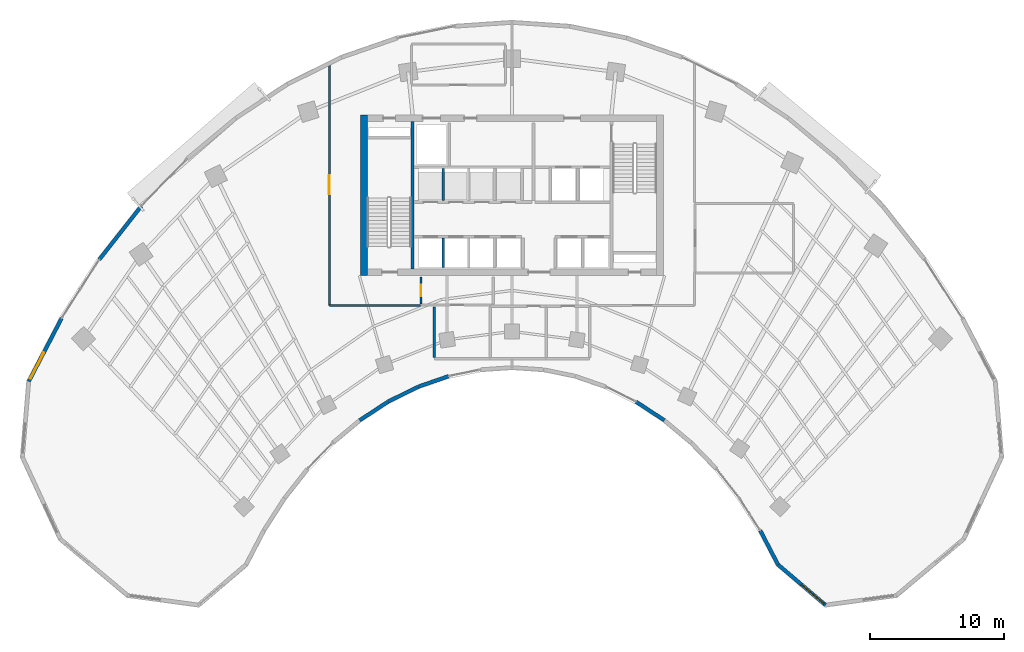
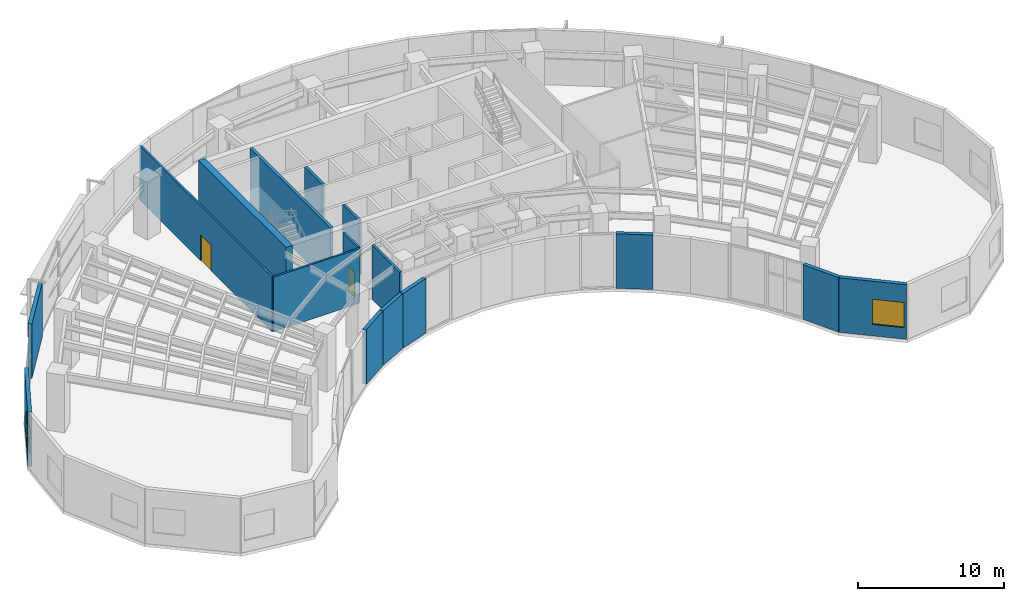
# One storey, part 8 of 15: 16 walls, 2 doors, 2 windows, 4 openings.
"""IFC4 building model written with IfcOpenShell, lengths in metres."""

from ifc_helpers import new_model, si_unit, direction, frame, frame_2d, origin, place, context, subcontext, project, spatial, rectangle, extrude, source, transform, mapped, material, layer, layer_set, type_object, type_shapes, element, fill, save


model = new_model("IFC4")

# Units and contexts
model_context = context("Model", 3, precision=1e-05, world=origin(), true_north=direction((0.0, 1.0)))
body_context = subcontext(model_context, "Body", "Model", "MODEL_VIEW")
ifc_project = project(units=[si_unit("LENGTHUNIT", "METRE"), si_unit("AREAUNIT", "SQUARE_METRE"), si_unit("VOLUMEUNIT", "CUBIC_METRE"), si_unit("PLANEANGLEUNIT", "RADIAN"), si_unit("MASSUNIT", "GRAM", prefix="KILO")], contexts=[model_context])

# Site, building, storey
site_placement = place(None, origin())
site = spatial("IfcSite", under=ifc_project, at=site_placement, CompositionType="ELEMENT")
building_placement = place(site_placement, origin())
building = spatial("IfcBuilding", under=site, at=building_placement, Name="Breltana Convention Tower", CompositionType="ELEMENT")
storey_placement = place(building_placement, frame((0.0, 0.0, 91.199951171875)))
storey = spatial("IfcBuildingStorey", under=building, at=storey_placement, Name="L21", CompositionType="ELEMENT", Elevation=91.199951171875)

# Walls
ifc_material_1 = material(Name="Concrete C60/75", Category="concrete")
ifc_layer_1 = layer(ifc_material_1, 0.5, Name="Concrete C60/75")
ifc_layer_set_1 = layer_set([ifc_layer_1], Name="Concrete C60/75")
wall_type_1 = type_object("IfcWallType", Name="SW-CORE-500", PredefinedType="SHEAR", material=ifc_layer_set_1)
shared_shape_1 = source(origin(), body_context, "Body", "SweptSolid", [
    extrude(rectangle(XDim=12.0, YDim=0.5, at=frame_2d((6.0, 0.0))), origin(), (0.0, 0.0, 1.0), 4.800048828125),
])
wall_1_placement = place(storey_placement, frame((36.949951171875, 60.199951171875, 0.0), z_axis=(0.0, 0.0, 1.0), x_axis=(0.0, 1.0, 0.0)))
element("IfcWall", 1, at=wall_1_placement, inside=storey, type_object=wall_type_1, Name="L21 West Core Shear Wall", PredefinedType="SHEAR", context=body_context, shape_type="MappedRepresentation", body=[
    mapped(shared_shape_1, transform((0.0, 0.0, 0.0), scale=1.0)),
])
ifc_material_2 = material(Name="Concrete C50/60", Category="concrete")
ifc_layer_2 = layer(ifc_material_2, 0.39990234375, Name="Concrete C50/60")
ifc_layer_set_2 = layer_set([ifc_layer_2], Name="Concrete C50/60")
wall_type_2 = type_object("IfcWallType", Name="SW-CORE-400", PredefinedType="SHEAR", material=ifc_layer_set_2)
shared_shape_2 = source(origin(), body_context, "Body", "SweptSolid", [
    extrude(rectangle(XDim=11.0, YDim=0.219970703125, at=frame_2d((5.5, 0.0))), origin(), (0.0, 0.0, 1.0), 4.800048828125),
])
wall_2_placement = place(storey_placement, frame((40.580078125, 60.699951171875, 0.0), z_axis=(0.0, 0.0, 1.0), x_axis=(0.0, 1.0, 0.0)))
element("IfcWall", 2, at=wall_2_placement, inside=storey, type_object=wall_type_2, Name="L21 Core West Stair Spine Wall", PredefinedType="SHEAR", context=body_context, shape_type="MappedRepresentation", body=[
    mapped(shared_shape_2, transform((0.0, 0.0, 0.0), scale=1.0)),
])

# Wall, opening, window
ifc_material_3 = material(Name="Limestone Buff Insulated Wall", Category="masonry")
ifc_layer_3 = layer(ifc_material_3, 0.280029296875, Name="Limestone Buff Insulated Wall")
ifc_layer_set_3 = layer_set([ifc_layer_3], Name="Limestone Buff Insulated Wall")
wall_type_3 = type_object("IfcWallType", Name="WL-EXT-NOSE-280", PredefinedType="SOLIDWALL", material=ifc_layer_set_3)
shared_shape_3 = source(origin(), body_context, "Body", "SweptSolid", [
    extrude(rectangle(XDim=4.6591796875, YDim=0.280029296875, at=frame_2d((2.32958984375, 0.0))), origin(), (0.0, 0.0, 1.0), 4.550048828125),
])
wall_3_placement = place(storey_placement, frame((71.410400390625, 35.606201171875, 0.0), z_axis=(0.0, 0.0, 1.0), x_axis=(-0.761913458795, 0.647678841176, 0.0)))
wall_3 = element("IfcWall", 3, at=wall_3_placement, inside=storey, type_object=wall_type_3, Name="L21 curved limestone nose wall E5", PredefinedType="SOLIDWALL", context=body_context, shape_type="MappedRepresentation", body=[
    mapped(shared_shape_3, transform((0.0, 0.0, 0.0), scale=1.0)),
])
opening_1_placement = place(wall_3_placement, frame((0.159912109375, 0.0, 0.949951171875)))
opening_1 = element("IfcOpeningElement", 4, at=opening_1_placement, cuts=wall_3, Name="Opening W-03", PredefinedType="OPENING", context=body_context, shape_type="SweptSolid", body=[
    extrude(rectangle(XDim=2.199951171875, YDim=2.10009765625, at=frame_2d((1.10009765625, 1.050048828125))), frame((0.0, 0.14990234375, 0.0), z_axis=(0.0, -1.0, 0.0), x_axis=(1.0, 0.0, 0.0)), (0.0, 0.0, 1.0), 0.300048828125),
])
ifc_material_4 = material(Name="Glass Low-E Insulated Window", Category="glass")
window_type = type_object("IfcWindowType", Name="WN-NOSE-2200X2100", PartitioningType="TRIPLE_PANEL_VERTICAL", PredefinedType="WINDOW", material=ifc_material_4)
shared_shape_4 = source(origin(), body_context, "Body", "SweptSolid", [
    extrude(rectangle(XDim=2.199951171875, YDim=2.10009765625, at=frame_2d((1.10009765625, 1.050048828125))), frame((0.0, 0.030029296875, 0.0), z_axis=(0.0, -1.0, 0.0), x_axis=(1.0, 0.0, 0.0)), (0.0, 0.0, 1.0), 0.06005859375),
])
type_shapes(window_type, [shared_shape_4])
window_1_placement = place(opening_1_placement, origin())
window_1 = element("IfcWindow", 5, at=window_1_placement, inside=storey, type_object=window_type, Name="L21 nose window E5", OverallHeight=2.10009765625, OverallWidth=2.199951171875, PartitioningType="TRIPLE_PANEL_VERTICAL", PredefinedType="WINDOW", context=body_context, shape_type="MappedRepresentation", body=[
    mapped(shared_shape_4, transform((0.0, 0.0, 0.0), scale=1.0)),
])
fill(opening_1, window_1)

# Walls
shared_shape_5 = source(origin(), body_context, "Body", "SweptSolid", [
    extrude(rectangle(XDim=2.8798828125, YDim=0.280029296875, at=frame_2d((1.43994140625, 0.0))), origin(), (0.0, 0.0, 1.0), 4.550048828125),
])
wall_4_placement = place(storey_placement, frame((67.860595703125, 38.623779296875, 0.0), z_axis=(0.0, 0.0, 1.0), x_axis=(-0.461769086658, 0.887000175088, 0.0)))
element("IfcWall", 6, at=wall_4_placement, inside=storey, type_object=wall_type_3, Name="L21 curved limestone nose wall E6", PredefinedType="SOLIDWALL", context=body_context, shape_type="MappedRepresentation", body=[
    mapped(shared_shape_5, transform((0.0, 0.0, 0.0), scale=1.0)),
])
shared_shape_6 = source(origin(), body_context, "Body", "SweptSolid", [
    extrude(rectangle(XDim=2.52734375, YDim=0.280029296875, at=frame_2d((1.263671875, 0.0))), origin(), (0.0, 0.0, 1.0), 4.550048828125),
])
for number, where, z_axis, x_axis, name in (
    (7, (59.37060546875, 49.3994140625, 0.0), (0.0, 0.0, 1.0), (-0.836011905051, 0.548711303523, 0.0), "L21 curved limestone nose wall E9"),
    (8, (38.7421875, 50.7861328125, 0.0), (0.0, 0.0, 1.0), (-0.836011905051, -0.548711303523, 0.0), "L21 curved limestone nose wall E16"),
):
    element("IfcWall", number, at=place(storey_placement, frame(where, z_axis=z_axis, x_axis=x_axis)), inside=storey, type_object=wall_type_3, Name=name, PredefinedType="SOLIDWALL", context=body_context, shape_type="MappedRepresentation", body=[
        mapped(shared_shape_6, transform((0.0, 0.0, 0.0), scale=1.0)),
    ])
shared_shape_7 = source(origin(), body_context, "Body", "SweptSolid", [
    extrude(rectangle(XDim=2.41064453125, YDim=0.280029296875, at=frame_2d((1.205322265625, 0.0))), origin(), (0.0, 0.0, 1.0), 4.550048828125),
])
wall_5_placement = place(storey_placement, frame((43.26611328125, 52.688720703125, 0.0), z_axis=(0.0, 0.0, 1.0), x_axis=(-0.944880068161, -0.327416640982, 0.0)))
element("IfcWall", 9, at=wall_5_placement, inside=storey, type_object=wall_type_3, Name="L21 curved limestone nose wall E14", PredefinedType="SOLIDWALL", context=body_context, shape_type="MappedRepresentation", body=[
    mapped(shared_shape_7, transform((0.0, 0.0, 0.0), scale=1.0)),
])
shared_shape_8 = source(origin(), body_context, "Body", "SweptSolid", [
    extrude(rectangle(XDim=2.46240234375, YDim=0.280029296875, at=frame_2d((1.231201171875, 0.0))), origin(), (0.0, 0.0, 1.0), 4.550048828125),
])
wall_6_placement = place(storey_placement, frame((40.96728515625, 51.890625, 0.0), z_axis=(0.0, 0.0, 1.0), x_axis=(-0.8959882207, -0.444077817917, 0.0)))
element("IfcWall", 10, at=wall_6_placement, inside=storey, type_object=wall_type_3, Name="L21 curved limestone nose wall E15", PredefinedType="SOLIDWALL", context=body_context, shape_type="MappedRepresentation", body=[
    mapped(shared_shape_8, transform((0.0, 0.0, 0.0), scale=1.0)),
])

# Wall, opening, window
shared_shape_9 = source(origin(), body_context, "Body", "SweptSolid", [
    extrude(rectangle(XDim=5.315185546875, YDim=0.280029296875, at=frame_2d((2.65771484375, 0.0))), origin(), (0.0, 0.0, 1.0), 4.550048828125),
])
wall_7_placement = place(storey_placement, frame((11.92236328125, 52.305419921875, 0.0), z_axis=(0.0, 0.0, 1.0), x_axis=(0.461760527822, 0.887004630735, 0.0)))
wall_7 = element("IfcWall", 11, at=wall_7_placement, inside=storey, type_object=wall_type_3, Name="L21 curved limestone nose wall W7", PredefinedType="SOLIDWALL", context=body_context, shape_type="MappedRepresentation", body=[
    mapped(shared_shape_9, transform((0.0, 0.0, 0.0), scale=1.0)),
])
opening_2_placement = place(wall_7_placement, frame((0.228759765625, 0.0, 0.949951171875)))
opening_2 = element("IfcOpeningElement", 12, at=opening_2_placement, cuts=wall_7, Name="Opening W-03", PredefinedType="OPENING", context=body_context, shape_type="SweptSolid", body=[
    extrude(rectangle(XDim=2.199951171875, YDim=2.10009765625, at=frame_2d((1.10009765625, 1.050048828125))), frame((0.0, 0.14990234375, 0.0), z_axis=(0.0, -1.0, 0.0), x_axis=(1.0, 0.0, 0.0)), (0.0, 0.0, 1.0), 0.300048828125),
])
window_2_placement = place(opening_2_placement, origin())
window_2 = element("IfcWindow", 13, at=window_2_placement, inside=storey, type_object=window_type, Name="L21 nose window W7", OverallHeight=2.10009765625, OverallWidth=2.199951171875, PartitioningType="TRIPLE_PANEL_VERTICAL", PredefinedType="WINDOW", context=body_context, shape_type="MappedRepresentation", body=[
    mapped(shared_shape_4, transform((0.0, 0.0, 0.0), scale=1.0)),
])
fill(opening_2, window_2)

# Walls
shared_shape_10 = source(origin(), body_context, "Body", "SweptSolid", [
    extrude(rectangle(XDim=5.05810546875, YDim=0.280029296875, at=frame_2d((2.529052734375, 0.0))), origin(), (0.0, 0.0, 1.0), 4.550048828125),
])
wall_8_placement = place(storey_placement, frame((17.1884765625, 61.400390625, 0.0), z_axis=(0.0, 0.0, 1.0), x_axis=(0.618145507434, 0.786063694391, 0.0)))
element("IfcWall", 14, at=wall_8_placement, inside=storey, type_object=wall_type_3, Name="L21 curved limestone nose wall E20", PredefinedType="SOLIDWALL", context=body_context, shape_type="MappedRepresentation", body=[
    mapped(shared_shape_10, transform((0.0, 0.0, 0.0), scale=1.0)),
])
ifc_material_5 = material(Name="Autoclaved Aerated Concrete Block", Category="concrete")
ifc_layer_4 = layer(ifc_material_5, 0.199951171875, Name="Autoclaved Aerated Concrete Block")
ifc_layer_set_4 = layer_set([ifc_layer_4], Name="Autoclaved Aerated Concrete Block")
wall_type_4 = type_object("IfcWallType", Name="WL-SHAFT-200", PredefinedType="SOLIDWALL", material=ifc_layer_set_4)
shared_shape_11 = source(origin(), body_context, "Body", "SweptSolid", [
    extrude(rectangle(XDim=2.39990234375, YDim=0.199951171875, at=frame_2d((1.199951171875, 0.0))), origin(), (0.0, 0.0, 1.0), 4.550048828125),
])
wall_9_placement = place(storey_placement, frame((42.8701171875, 65.800048828125, 0.0), z_axis=(0.0, 0.0, 1.0), x_axis=(0.0, 1.0, 0.0)))
element("IfcWall", 15, at=wall_9_placement, inside=storey, type_object=wall_type_4, Name="L21 interior partition W-L21-SH-M-DIV1", PredefinedType="SOLIDWALL", context=body_context, shape_type="MappedRepresentation", body=[
    mapped(shared_shape_11, transform((0.0, 0.0, 0.0), scale=1.0)),
])
shared_shape_12 = source(origin(), body_context, "Body", "SweptSolid", [
    extrude(rectangle(XDim=2.199951171875, YDim=0.199951171875, at=frame_2d((1.10009765625, 0.0))), origin(), (0.0, 0.0, 1.0), 4.550048828125),
])
wall_10_placement = place(storey_placement, frame((42.8701171875, 60.800048828125, 0.0), z_axis=(0.0, 0.0, 1.0), x_axis=(0.0, 1.0, 0.0)))
element("IfcWall", 16, at=wall_10_placement, inside=storey, type_object=wall_type_4, Name="L21 interior partition W-L21-SH-S-DIV1", PredefinedType="SOLIDWALL", context=body_context, shape_type="MappedRepresentation", body=[
    mapped(shared_shape_12, transform((0.0, 0.0, 0.0), scale=1.0)),
])

# Wall, opening, door
ifc_material_6 = material(Name="Gypsum Acoustic Drywall Partition")
ifc_layer_5 = layer(ifc_material_6, 0.14990234375, Name="Gypsum Acoustic Drywall Partition")
ifc_layer_set_5 = layer_set([ifc_layer_5], Name="Gypsum Acoustic Drywall Partition")
wall_type_5 = type_object("IfcWallType", Name="WL-PART-150", PredefinedType="PARTITIONING", material=ifc_layer_set_5)
shared_shape_13 = source(origin(), body_context, "Body", "SweptSolid", [
    extrude(rectangle(XDim=2.03271484375, YDim=0.14990234375, at=frame_2d((1.016357421875, 0.0))), origin(), (0.0, 0.0, 1.0), 4.550048828125),
])
wall_11_placement = place(storey_placement, frame((41.199951171875, 58.0673828125, 0.0), z_axis=(0.0, 0.0, 1.0), x_axis=(0.0, 1.0, 0.0)))
wall_11 = element("IfcWall", 17, at=wall_11_placement, inside=storey, type_object=wall_type_5, Name="L21 interior partition W-L21-CRSC-W", PredefinedType="PARTITIONING", context=body_context, shape_type="MappedRepresentation", body=[
    mapped(shared_shape_13, transform((0.0, 0.0, 0.0), scale=1.0)),
])
opening_3_placement = place(wall_11_placement, frame((0.59130859375, 0.0, 0.0)))
opening_3 = element("IfcOpeningElement", 18, at=opening_3_placement, cuts=wall_11, Name="Opening D-20", PredefinedType="OPENING", context=body_context, shape_type="SweptSolid", body=[
    extrude(rectangle(XDim=0.85009765625, YDim=2.10009765625, at=frame_2d((0.425048828125, 1.050048828125))), frame((0.0, 0.0849609375, 0.0), z_axis=(0.0, -1.0, 0.0), x_axis=(1.0, 0.0, 0.0)), (0.0, 0.0, 1.0), 0.169921875),
])
ifc_material_7 = material(Name="Steel Closet Fire Door", Category="steel")
door_type_1 = type_object("IfcDoorType", Name="DR-FD60-850", OperationType="NOTDEFINED", PredefinedType="DOOR", material=ifc_material_7)
shared_shape_14 = source(origin(), body_context, "Body", "SweptSolid", [
    extrude(rectangle(XDim=0.85009765625, YDim=2.10009765625, at=frame_2d((0.425048828125, 1.050048828125))), frame((0.0, 0.02490234375, 0.0), z_axis=(0.0, -1.0, 0.0), x_axis=(1.0, 0.0, 0.0)), (0.0, 0.0, 1.0), 0.050048828125),
])
type_shapes(door_type_1, [shared_shape_14])
door_1_placement = place(opening_3_placement, origin())
door_1 = element("IfcDoor", 19, at=door_1_placement, inside=storey, type_object=door_type_1, Name="L21 interior door D-L21-CRSC", OperationType="SINGLE_SWING_RIGHT", OverallHeight=2.10009765625, OverallWidth=0.85009765625, PredefinedType="DOOR", context=body_context, shape_type="MappedRepresentation", body=[
    mapped(shared_shape_14, transform((0.0, 0.0, 0.0), scale=1.0)),
])
fill(opening_3, door_1)

# Walls
ifc_material_8 = material(Name="Cement Board Wet-Area Partition")
ifc_layer_6 = layer(ifc_material_8, 0.175048828125, Name="Cement Board Wet-Area Partition")
ifc_layer_set_6 = layer_set([ifc_layer_6], Name="Cement Board Wet-Area Partition")
wall_type_6 = type_object("IfcWallType", Name="WL-WET-175", PredefinedType="PARTITIONING", material=ifc_layer_set_6)
shared_shape_15 = source(origin(), body_context, "Body", "SweptSolid", [
    extrude(rectangle(XDim=3.7626953125, YDim=0.175048828125, at=frame_2d((1.88134765625, 0.0))), origin(), (0.0, 0.0, 1.0), 4.550048828125),
])
wall_12_placement = place(storey_placement, frame((42.199951171875, 54.07861328125, 0.0), z_axis=(0.0, 0.0, 1.0), x_axis=(0.0, 1.0, 0.0)))
element("IfcWall", 20, at=wall_12_placement, inside=storey, type_object=wall_type_6, Name="L21 interior partition W-L21-WCM-W", PredefinedType="PARTITIONING", context=body_context, shape_type="MappedRepresentation", body=[
    mapped(shared_shape_15, transform((0.0, 0.0, 0.0), scale=1.0)),
])
shared_shape_16 = source(origin(), body_context, "Body", "SweptSolid", [
    extrude(rectangle(XDim=6.7998046875, YDim=0.14990234375, at=frame_2d((3.39990234375, 0.0))), origin(), (0.0, 0.0, 1.0), 4.550048828125),
])
wall_13_placement = place(storey_placement, frame((34.360107421875, 57.9599609375, 0.0), z_axis=(0.0, 0.0, 1.0), x_axis=(1.0, 0.0, 0.0)))
element("IfcWall", 21, at=wall_13_placement, inside=storey, type_object=wall_type_5, Name="L21 interior partition W-L21-L21-SW", PredefinedType="PARTITIONING", context=body_context, shape_type="MappedRepresentation", body=[
    mapped(shared_shape_16, transform((0.0, 0.0, 0.0), scale=1.0)),
])

# Wall, opening, door
shared_shape_17 = source(origin(), body_context, "Body", "SweptSolid", [
    extrude(rectangle(XDim=18.0673828125, YDim=0.14990234375, at=frame_2d((9.03369140625, 0.0))), origin(), (0.0, 0.0, 1.0), 4.550048828125),
])
wall_14_placement = place(storey_placement, frame((34.360107421875, 57.9599609375, 0.0), z_axis=(0.0, 0.0, 1.0), x_axis=(0.0, 1.0, 0.0)))
wall_14 = element("IfcWall", 22, at=wall_14_placement, inside=storey, type_object=wall_type_5, Name="L21 interior partition W-L21-L21-W", PredefinedType="PARTITIONING", context=body_context, shape_type="MappedRepresentation", body=[
    mapped(shared_shape_17, transform((0.0, 0.0, 0.0), scale=1.0)),
])
opening_4_placement = place(wall_14_placement, frame((8.33349609375, 0.0, 0.0)))
opening_4 = element("IfcOpeningElement", 23, at=opening_4_placement, cuts=wall_14, Name="Opening D-05", PredefinedType="OPENING", context=body_context, shape_type="SweptSolid", body=[
    extrude(rectangle(XDim=1.39990234375, YDim=2.14990234375, at=frame_2d((0.699951171875, 1.074951171875))), frame((0.0, 0.0849609375, 0.0), z_axis=(0.0, -1.0, 0.0), x_axis=(1.0, 0.0, 0.0)), (0.0, 0.0, 1.0), 0.169921875),
])
ifc_material_9 = material(Name="Timber Veneer Glazed Double Door", Category="wood")
door_type_2 = type_object("IfcDoorType", Name="DR-DBL-1400", OperationType="DOUBLE_DOOR_SINGLE_SWING", PredefinedType="DOOR", material=ifc_material_9)
shared_shape_18 = source(origin(), body_context, "Body", "SweptSolid", [
    extrude(rectangle(XDim=1.39990234375, YDim=2.14990234375, at=frame_2d((0.699951171875, 1.074951171875))), frame((0.0, 0.02490234375, 0.0), z_axis=(0.0, -1.0, 0.0), x_axis=(1.0, 0.0, 0.0)), (0.0, 0.0, 1.0), 0.050048828125),
])
type_shapes(door_type_2, [shared_shape_18])
door_2_placement = place(opening_4_placement, origin())
door_2 = element("IfcDoor", 24, at=door_2_placement, inside=storey, type_object=door_type_2, Name="L21 interior door D-L21-SLBW", OperationType="SINGLE_SWING_RIGHT", OverallHeight=2.14990234375, OverallWidth=1.39990234375, PredefinedType="DOOR", context=body_context, shape_type="MappedRepresentation", body=[
    mapped(shared_shape_18, transform((0.0, 0.0, 0.0), scale=1.0)),
])
fill(opening_4, door_2)

save(model, "model.ifc")
